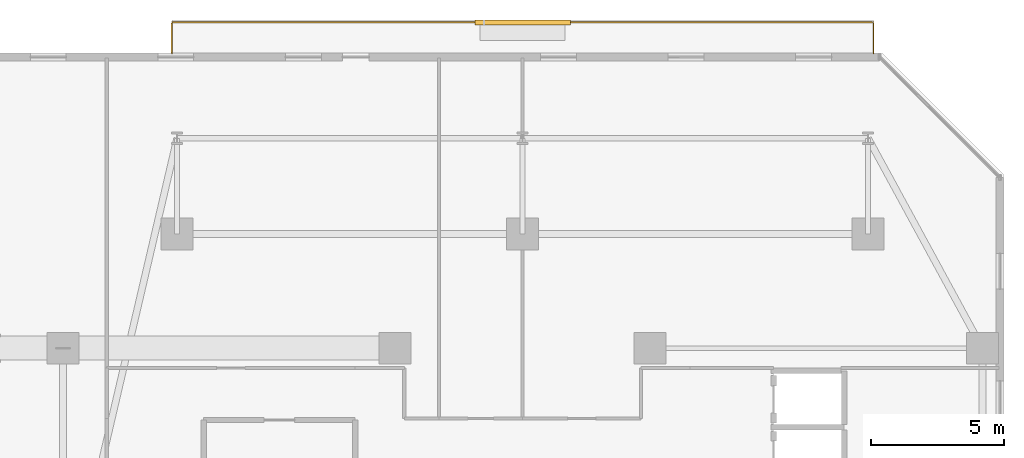
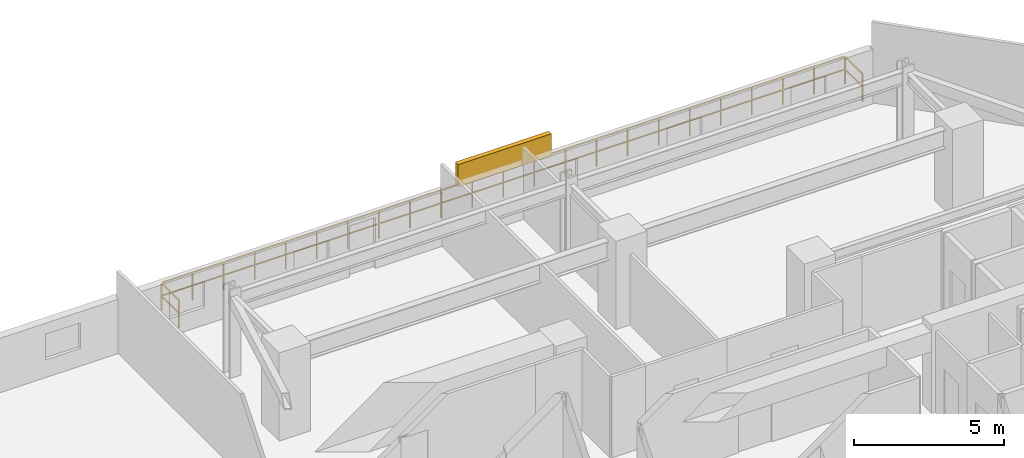
# One storey, part 36 of 36: 1 railing, 1 shading device.
"""IFC4 building model written with IfcOpenShell, lengths in metres."""

from ifc_helpers import new_model, si_unit, direction, frame, origin, origin_2d, place, context, subcontext, project, spatial, rectangle, extrude, material, type_object, element, save


model = new_model("IFC4")

# Units and contexts
model_context = context("Model", 3, precision=1e-05, world=origin(), true_north=direction((0.0, 1.0)))
body_context = subcontext(model_context, "Body", "Model", "MODEL_VIEW")
ifc_project = project(units=[si_unit("LENGTHUNIT", "METRE"), si_unit("AREAUNIT", "SQUARE_METRE"), si_unit("VOLUMEUNIT", "CUBIC_METRE"), si_unit("PLANEANGLEUNIT", "RADIAN"), si_unit("MASSUNIT", "GRAM", prefix="KILO")], contexts=[model_context])

# Site, building, storey
site_placement = place(None, origin())
site = spatial("IfcSite", under=ifc_project, at=site_placement, CompositionType="ELEMENT")
building_placement = place(site_placement, origin())
building = spatial("IfcBuilding", under=site, at=building_placement, Name="Thornwick Lancets Civic Towers", CompositionType="ELEMENT")
storey_placement = place(building_placement, frame((0.0, 0.0, 94.5)))
storey = spatial("IfcBuildingStorey", under=building, at=storey_placement, Name="L24", CompositionType="ELEMENT", Elevation=94.5)

# Railing
ifc_material_1 = material(Name="Terracotta-capped laminated glass balustrade S355", Category="masonry")
railing_type = type_object("IfcRailingType", Name="RAIL_TERR_GUARD", PredefinedType="GUARDRAIL", material=ifc_material_1)
railing_placement = place(storey_placement, frame((75.300048828125, 51.10009765625, 0.0)))
element("IfcRailing", 1, at=railing_placement, inside=storey, type_object=railing_type, Name="L24 Tower B Balcony Guard N", PredefinedType="GUARDRAIL", context=body_context, shape_type="SweptSolid", body=[
    extrude(rectangle(XDim=0.048095703125, YDim=0.048095703125, at=origin_2d()), frame((0.0, 0.0, 1.1259765625), z_axis=(0.0, 1.0, 0.0), x_axis=(-1.0, 0.0, 0.0)), (0.0, 0.0, 1.0), 1.138671875),
    extrude(rectangle(XDim=0.0419921875, YDim=0.0419921875, at=origin_2d()), frame((0.0, 0.03759765625, 0.597900390625), z_axis=(0.0, 1.0, 0.0), x_axis=(-1.0, 0.0, 0.0)), (0.0, 0.0, 1.0), 1.094970703125),
    extrude(rectangle(XDim=0.048095703125, YDim=0.048095703125, at=origin_2d()), frame((0.03125, 1.169921875, 1.1259765625), z_axis=(1.0, 0.0, 0.0), x_axis=(0.0, 1.0, 0.0)), (0.0, 0.0, 1.0), 26.33740234375),
    extrude(rectangle(XDim=0.0419921875, YDim=0.0419921875, at=origin_2d()), frame((0.03759765625, 1.169921875, 0.597900390625), z_axis=(1.0, 0.0, 0.0), x_axis=(0.0, 1.0, 0.0)), (0.0, 0.0, 1.0), 1.125),
    extrude(rectangle(XDim=0.0419921875, YDim=0.0419921875, at=origin_2d()), frame((1.237548828125, 1.169921875, 0.597900390625), z_axis=(1.0, 0.0, 0.0), x_axis=(0.0, 1.0, 0.0)), (0.0, 0.0, 1.0), 1.125),
    extrude(rectangle(XDim=0.0419921875, YDim=0.0419921875, at=origin_2d()), frame((2.4375, 1.169921875, 0.597900390625), z_axis=(1.0, 0.0, 0.0), x_axis=(0.0, 1.0, 0.0)), (0.0, 0.0, 1.0), 1.125),
    extrude(rectangle(XDim=0.0419921875, YDim=0.0419921875, at=origin_2d()), frame((3.637451171875, 1.169921875, 0.597900390625), z_axis=(1.0, 0.0, 0.0), x_axis=(0.0, 1.0, 0.0)), (0.0, 0.0, 1.0), 1.125),
    extrude(rectangle(XDim=0.0419921875, YDim=0.0419921875, at=origin_2d()), frame((4.83740234375, 1.169921875, 0.597900390625), z_axis=(1.0, 0.0, 0.0), x_axis=(0.0, 1.0, 0.0)), (0.0, 0.0, 1.0), 1.125),
    extrude(rectangle(XDim=0.0419921875, YDim=0.0419921875, at=origin_2d()), frame((6.037353515625, 1.169921875, 0.597900390625), z_axis=(1.0, 0.0, 0.0), x_axis=(0.0, 1.0, 0.0)), (0.0, 0.0, 1.0), 1.125),
    extrude(rectangle(XDim=0.0419921875, YDim=0.0419921875, at=origin_2d()), frame((7.237548828125, 1.169921875, 0.597900390625), z_axis=(1.0, 0.0, 0.0), x_axis=(0.0, 1.0, 0.0)), (0.0, 0.0, 1.0), 1.125),
    extrude(rectangle(XDim=0.0419921875, YDim=0.0419921875, at=origin_2d()), frame((8.4375, 1.169921875, 0.597900390625), z_axis=(1.0, 0.0, 0.0), x_axis=(0.0, 1.0, 0.0)), (0.0, 0.0, 1.0), 1.125),
    extrude(rectangle(XDim=0.0419921875, YDim=0.0419921875, at=origin_2d()), frame((9.637451171875, 1.169921875, 0.597900390625), z_axis=(1.0, 0.0, 0.0), x_axis=(0.0, 1.0, 0.0)), (0.0, 0.0, 1.0), 1.125),
    extrude(rectangle(XDim=0.0419921875, YDim=0.0419921875, at=origin_2d()), frame((10.83740234375, 1.169921875, 0.597900390625), z_axis=(1.0, 0.0, 0.0), x_axis=(0.0, 1.0, 0.0)), (0.0, 0.0, 1.0), 1.125),
    extrude(rectangle(XDim=0.0419921875, YDim=0.0419921875, at=origin_2d()), frame((12.037353515625, 1.169921875, 0.597900390625), z_axis=(1.0, 0.0, 0.0), x_axis=(0.0, 1.0, 0.0)), (0.0, 0.0, 1.0), 1.125),
    extrude(rectangle(XDim=0.0419921875, YDim=0.0419921875, at=origin_2d()), frame((13.237548828125, 1.169921875, 0.597900390625), z_axis=(1.0, 0.0, 0.0), x_axis=(0.0, 1.0, 0.0)), (0.0, 0.0, 1.0), 1.125),
    extrude(rectangle(XDim=0.0419921875, YDim=0.0419921875, at=origin_2d()), frame((14.4375, 1.169921875, 0.597900390625), z_axis=(1.0, 0.0, 0.0), x_axis=(0.0, 1.0, 0.0)), (0.0, 0.0, 1.0), 1.125),
    extrude(rectangle(XDim=0.0419921875, YDim=0.0419921875, at=origin_2d()), frame((15.637451171875, 1.169921875, 0.597900390625), z_axis=(1.0, 0.0, 0.0), x_axis=(0.0, 1.0, 0.0)), (0.0, 0.0, 1.0), 1.125),
    extrude(rectangle(XDim=0.0419921875, YDim=0.0419921875, at=origin_2d()), frame((16.83740234375, 1.169921875, 0.597900390625), z_axis=(1.0, 0.0, 0.0), x_axis=(0.0, 1.0, 0.0)), (0.0, 0.0, 1.0), 1.125),
    extrude(rectangle(XDim=0.0419921875, YDim=0.0419921875, at=origin_2d()), frame((18.037353515625, 1.169921875, 0.597900390625), z_axis=(1.0, 0.0, 0.0), x_axis=(0.0, 1.0, 0.0)), (0.0, 0.0, 1.0), 1.125),
    extrude(rectangle(XDim=0.0419921875, YDim=0.0419921875, at=origin_2d()), frame((19.2373046875, 1.169921875, 0.597900390625), z_axis=(1.0, 0.0, 0.0), x_axis=(0.0, 1.0, 0.0)), (0.0, 0.0, 1.0), 1.125),
    extrude(rectangle(XDim=0.0419921875, YDim=0.0419921875, at=origin_2d()), frame((20.4375, 1.169921875, 0.597900390625), z_axis=(1.0, 0.0, 0.0), x_axis=(0.0, 1.0, 0.0)), (0.0, 0.0, 1.0), 1.125),
    extrude(rectangle(XDim=0.0419921875, YDim=0.0419921875, at=origin_2d()), frame((21.637451171875, 1.169921875, 0.597900390625), z_axis=(1.0, 0.0, 0.0), x_axis=(0.0, 1.0, 0.0)), (0.0, 0.0, 1.0), 1.125),
    extrude(rectangle(XDim=0.0419921875, YDim=0.0419921875, at=origin_2d()), frame((22.83740234375, 1.169921875, 0.597900390625), z_axis=(1.0, 0.0, 0.0), x_axis=(0.0, 1.0, 0.0)), (0.0, 0.0, 1.0), 1.125),
    extrude(rectangle(XDim=0.0419921875, YDim=0.0419921875, at=origin_2d()), frame((24.037353515625, 1.169921875, 0.597900390625), z_axis=(1.0, 0.0, 0.0), x_axis=(0.0, 1.0, 0.0)), (0.0, 0.0, 1.0), 1.125),
    extrude(rectangle(XDim=0.0419921875, YDim=0.0419921875, at=origin_2d()), frame((25.2373046875, 1.169921875, 0.597900390625), z_axis=(1.0, 0.0, 0.0), x_axis=(0.0, 1.0, 0.0)), (0.0, 0.0, 1.0), 1.125),
    extrude(rectangle(XDim=0.048095703125, YDim=0.048095703125, at=origin_2d()), frame((26.39990234375, 1.138671875, 1.1259765625), z_axis=(0.0, -1.0, 0.0), x_axis=(1.0, 0.0, 0.0)), (0.0, 0.0, 1.0), 1.138671875),
    extrude(rectangle(XDim=0.0419921875, YDim=0.0419921875, at=origin_2d()), frame((26.39990234375, 1.13232421875, 0.597900390625), z_axis=(0.0, -1.0, 0.0), x_axis=(1.0, 0.0, 0.0)), (0.0, 0.0, 1.0), 1.094970703125),
    extrude(rectangle(XDim=0.0419921875, YDim=0.0419921875, at=origin_2d()), origin(), (0.0, 0.0, 1.0), 1.095703125),
    extrude(rectangle(XDim=0.0419921875, YDim=0.0419921875, at=origin_2d()), frame((0.0, 1.169921875, 0.0)), (0.0, 0.0, 1.0), 1.095703125),
    extrude(rectangle(XDim=0.0419921875, YDim=0.0419921875, at=origin_2d()), frame((1.199951171875, 1.169921875, 0.0)), (0.0, 0.0, 1.0), 1.095703125),
    extrude(rectangle(XDim=0.0419921875, YDim=0.0419921875, at=origin_2d()), frame((2.39990234375, 1.169921875, 0.0)), (0.0, 0.0, 1.0), 1.095703125),
    extrude(rectangle(XDim=0.0419921875, YDim=0.0419921875, at=origin_2d()), frame((3.60009765625, 1.169921875, 0.0)), (0.0, 0.0, 1.0), 1.095703125),
    extrude(rectangle(XDim=0.0419921875, YDim=0.0419921875, at=origin_2d()), frame((4.800048828125, 1.169921875, 0.0)), (0.0, 0.0, 1.0), 1.095703125),
    extrude(rectangle(XDim=0.0419921875, YDim=0.0419921875, at=origin_2d()), frame((6.0, 1.169921875, 0.0)), (0.0, 0.0, 1.0), 1.095703125),
    extrude(rectangle(XDim=0.0419921875, YDim=0.0419921875, at=origin_2d()), frame((7.199951171875, 1.169921875, 0.0)), (0.0, 0.0, 1.0), 1.095703125),
    extrude(rectangle(XDim=0.0419921875, YDim=0.0419921875, at=origin_2d()), frame((8.39990234375, 1.169921875, 0.0)), (0.0, 0.0, 1.0), 1.095703125),
    extrude(rectangle(XDim=0.0419921875, YDim=0.0419921875, at=origin_2d()), frame((9.599853515625, 1.169921875, 0.0)), (0.0, 0.0, 1.0), 1.095703125),
    extrude(rectangle(XDim=0.0419921875, YDim=0.0419921875, at=origin_2d()), frame((10.800048828125, 1.169921875, 0.0)), (0.0, 0.0, 1.0), 1.095703125),
    extrude(rectangle(XDim=0.0419921875, YDim=0.0419921875, at=origin_2d()), frame((12.0, 1.169921875, 0.0)), (0.0, 0.0, 1.0), 1.095703125),
    extrude(rectangle(XDim=0.0419921875, YDim=0.0419921875, at=origin_2d()), frame((13.199951171875, 1.169921875, 0.0)), (0.0, 0.0, 1.0), 1.095703125),
    extrude(rectangle(XDim=0.0419921875, YDim=0.0419921875, at=origin_2d()), frame((14.39990234375, 1.169921875, 0.0)), (0.0, 0.0, 1.0), 1.095703125),
    extrude(rectangle(XDim=0.0419921875, YDim=0.0419921875, at=origin_2d()), frame((15.599853515625, 1.169921875, 0.0)), (0.0, 0.0, 1.0), 1.095703125),
    extrude(rectangle(XDim=0.0419921875, YDim=0.0419921875, at=origin_2d()), frame((16.800048828125, 1.169921875, 0.0)), (0.0, 0.0, 1.0), 1.095703125),
    extrude(rectangle(XDim=0.0419921875, YDim=0.0419921875, at=origin_2d()), frame((18.0, 1.169921875, 0.0)), (0.0, 0.0, 1.0), 1.095703125),
    extrude(rectangle(XDim=0.0419921875, YDim=0.0419921875, at=origin_2d()), frame((19.199951171875, 1.169921875, 0.0)), (0.0, 0.0, 1.0), 1.095703125),
    extrude(rectangle(XDim=0.0419921875, YDim=0.0419921875, at=origin_2d()), frame((20.39990234375, 1.169921875, 0.0)), (0.0, 0.0, 1.0), 1.095703125),
    extrude(rectangle(XDim=0.0419921875, YDim=0.0419921875, at=origin_2d()), frame((21.599853515625, 1.169921875, 0.0)), (0.0, 0.0, 1.0), 1.095703125),
    extrude(rectangle(XDim=0.0419921875, YDim=0.0419921875, at=origin_2d()), frame((22.7998046875, 1.169921875, 0.0)), (0.0, 0.0, 1.0), 1.095703125),
    extrude(rectangle(XDim=0.0419921875, YDim=0.0419921875, at=origin_2d()), frame((24.0, 1.169921875, 0.0)), (0.0, 0.0, 1.0), 1.095703125),
    extrude(rectangle(XDim=0.0419921875, YDim=0.0419921875, at=origin_2d()), frame((25.199951171875, 1.169921875, 0.0)), (0.0, 0.0, 1.0), 1.095703125),
    extrude(rectangle(XDim=0.0419921875, YDim=0.0419921875, at=origin_2d()), frame((26.39990234375, 1.169921875, 0.0)), (0.0, 0.0, 1.0), 1.095703125),
    extrude(rectangle(XDim=0.0419921875, YDim=0.0419921875, at=origin_2d()), frame((26.39990234375, 0.0, 0.0)), (0.0, 0.0, 1.0), 1.095703125),
])

# Shading device
ifc_material_2 = material(Name="Extruded terracotta baguette solar screen", Category="masonry")
shading_device_type = type_object("IfcShadingDeviceType", Name="SHADE_BAGUETTE", PredefinedType="JALOUSIE", material=ifc_material_2)
shading_device_placement = place(storey_placement, frame((88.5, 52.260009765625, 1.1201171875), z_axis=(0.0, 0.0, 1.0), x_axis=(1.0, 0.0, 0.0)))
element("IfcShadingDevice", 2, at=shading_device_placement, inside=storey, type_object=shading_device_type, Name="L24 Tower B Terracotta Baguette Screen N", PredefinedType="JALOUSIE", context=body_context, shape_type="SweptSolid", body=[
    extrude(rectangle(XDim=3.60009765625, YDim=0.179931640625, at=origin_2d()), origin(), (0.0, 0.0, 1.0), 0.89990234375),
])

save(model, "model.ifc")
